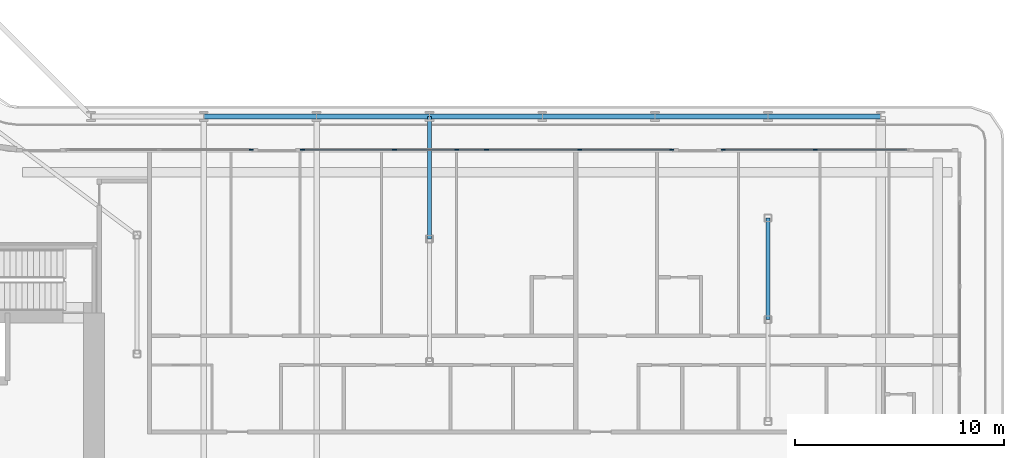
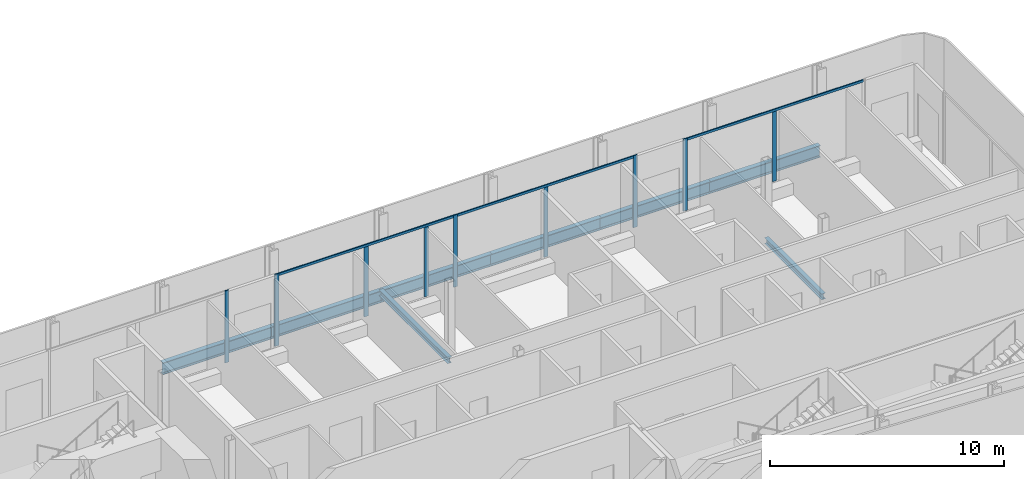
# One storey, part 6 of 27: 12 members, 8 beams, 4 elements without a shape of their own.
"""IFC4 building model written with IfcOpenShell, lengths in metres."""

from ifc_helpers import new_model, si_unit, direction, frame, origin, origin_2d, place, context, subcontext, project, spatial, rectangle, i_section, extrude, material, layer, layer_set, material_profile, profile_set, type_object, element, aggregate, save


model = new_model("IFC4")

# Units and contexts
model_context = context("Model", 3, precision=1e-05, world=origin(), true_north=direction((0.0, 1.0)))
body_context = subcontext(model_context, "Body", "Model", "MODEL_VIEW")
ifc_project = project(units=[si_unit("LENGTHUNIT", "METRE"), si_unit("AREAUNIT", "SQUARE_METRE"), si_unit("VOLUMEUNIT", "CUBIC_METRE"), si_unit("PLANEANGLEUNIT", "RADIAN"), si_unit("MASSUNIT", "GRAM", prefix="KILO")], contexts=[model_context])

# Site, building, storey
site_placement = place(None, origin())
site = spatial("IfcSite", under=ifc_project, at=site_placement, CompositionType="ELEMENT")
building_placement = place(site_placement, origin())
building = spatial("IfcBuilding", under=site, at=building_placement, Name="Kheshtan School and Residences Tower", CompositionType="ELEMENT")
storey_placement = place(building_placement, frame((0.0, 0.0, 46.10009765625)))
storey = spatial("IfcBuildingStorey", under=building, at=storey_placement, Name="L10", CompositionType="ELEMENT", Elevation=46.10009765625)

# Beams
ifc_material_1 = material(Name="Steel ASTM A992 Grade 50", Category="steel")
ifc_material_profile_1 = material_profile(ifc_material_1, i_section(OverallWidth=0.202880859375, OverallDepth=0.302978515625, WebThickness=0.007568359375, FlangeThickness=0.01318359375, FilletRadius=0.009033203125, at=origin_2d()), Name="W310x60")
ifc_profile_set_1 = profile_set([ifc_material_profile_1], Name="Steel ASTM A992 Grade 50")
beam_type_1 = type_object("IfcBeamType", Name="Beam FB1 W310x60 ASTM A992 Grade 50", PredefinedType="BEAM", material=ifc_profile_set_1)
beam_1_placement = place(storey_placement, frame((69.199951171875, 45.60009765625, -0.301513671875), z_axis=(0.0, -1.0, 0.0), x_axis=(1.0, 0.0, 0.0)))
element("IfcBeam", 1, at=beam_1_placement, inside=storey, type_object=beam_type_1, Name="Floor beam C064", PredefinedType="BEAM", context=body_context, shape_type="SweptSolid", body=[
    extrude(i_section(OverallWidth=0.202880859375, OverallDepth=0.302978515625, WebThickness=0.007568359375, FlangeThickness=0.01318359375, FilletRadius=0.009033203125, at=origin_2d()), origin(), (0.0, 0.0, 1.0), 5.8681640625),
])
beam_2_placement = place(storey_placement, frame((85.39990234375, 40.735107421875, -0.301513671875), z_axis=(0.0, -1.0, 0.0), x_axis=(1.0, 0.0, 0.0)))
element("IfcBeam", 2, at=beam_2_placement, inside=storey, type_object=beam_type_1, Name="Floor beam IC", PredefinedType="BEAM", context=body_context, shape_type="SweptSolid", body=[
    extrude(i_section(OverallWidth=0.202880859375, OverallDepth=0.302978515625, WebThickness=0.007568359375, FlangeThickness=0.01318359375, FilletRadius=0.009033203125, at=origin_2d()), origin(), (0.0, 0.0, 1.0), 4.864990234375),
])
ifc_material_profile_2 = material_profile(ifc_material_1, i_section(OverallWidth=0.22998046875, OverallDepth=0.616943359375, WebThickness=0.01318359375, FlangeThickness=0.022216796875, FilletRadius=0.0185546875, at=origin_2d()), Name="W610x140")
ifc_profile_set_2 = profile_set([ifc_material_profile_2], Name="Steel ASTM A992 Grade 50")
beam_type_2 = type_object("IfcBeamType", Name="Beam SP1 W610x140 ASTM A992 Grade 50", PredefinedType="BEAM", material=ifc_profile_set_2)
beam_3_placement = place(storey_placement, frame((58.39990234375, 45.60009765625, -0.45849609375), z_axis=(1.0, 0.0, 0.0), x_axis=(0.0, 1.0, 0.0)))
element("IfcBeam", 3, at=beam_3_placement, inside=storey, type_object=beam_type_2, Name="Spandrel beam C062-C063", PredefinedType="BEAM", context=body_context, shape_type="SweptSolid", body=[
    extrude(i_section(OverallWidth=0.22998046875, OverallDepth=0.616943359375, WebThickness=0.01318359375, FlangeThickness=0.022216796875, FilletRadius=0.0185546875, at=origin_2d()), origin(), (0.0, 0.0, 1.0), 5.400146484375),
])
beam_4_placement = place(storey_placement, frame((63.800048828125, 45.60009765625, -0.45849609375), z_axis=(1.0, 0.0, 0.0), x_axis=(0.0, 1.0, 0.0)))
element("IfcBeam", 4, at=beam_4_placement, inside=storey, type_object=beam_type_2, Name="Spandrel beam C063-C064", PredefinedType="BEAM", context=body_context, shape_type="SweptSolid", body=[
    extrude(i_section(OverallWidth=0.22998046875, OverallDepth=0.616943359375, WebThickness=0.01318359375, FlangeThickness=0.022216796875, FilletRadius=0.0185546875, at=origin_2d()), origin(), (0.0, 0.0, 1.0), 5.39990234375),
])
beam_5_placement = place(storey_placement, frame((69.199951171875, 45.60009765625, -0.45849609375), z_axis=(1.0, 0.0, 0.0), x_axis=(0.0, 1.0, 0.0)))
element("IfcBeam", 5, at=beam_5_placement, inside=storey, type_object=beam_type_2, Name="Spandrel beam C064-C065", PredefinedType="BEAM", context=body_context, shape_type="SweptSolid", body=[
    extrude(i_section(OverallWidth=0.22998046875, OverallDepth=0.616943359375, WebThickness=0.01318359375, FlangeThickness=0.022216796875, FilletRadius=0.0185546875, at=origin_2d()), origin(), (0.0, 0.0, 1.0), 5.400146484375),
])
for number, where, z_axis, x_axis, name in (
    (6, (74.60009765625, 45.60009765625, -0.45849609375), (1.0, 0.0, 0.0), (0.0, 1.0, 0.0), "Spandrel beam C065-C066"),
    (7, (80.0, 45.60009765625, -0.45849609375), (1.0, 0.0, 0.0), (0.0, 1.0, 0.0), "Spandrel beam C066-C067"),
):
    element("IfcBeam", number, at=place(storey_placement, frame(where, z_axis=z_axis, x_axis=x_axis)), inside=storey, type_object=beam_type_2, Name=name, PredefinedType="BEAM", context=body_context, shape_type="SweptSolid", body=[
        extrude(i_section(OverallWidth=0.22998046875, OverallDepth=0.616943359375, WebThickness=0.01318359375, FlangeThickness=0.022216796875, FilletRadius=0.0185546875, at=origin_2d()), origin(), (0.0, 0.0, 1.0), 5.39990234375),
    ])
beam_6_placement = place(storey_placement, frame((85.39990234375, 45.60009765625, -0.45849609375), z_axis=(1.0, 0.0, 0.0), x_axis=(0.0, 1.0, 0.0)))
element("IfcBeam", 8, at=beam_6_placement, inside=storey, type_object=beam_type_2, Name="Spandrel beam C067-C068", PredefinedType="BEAM", context=body_context, shape_type="SweptSolid", body=[
    extrude(i_section(OverallWidth=0.22998046875, OverallDepth=0.616943359375, WebThickness=0.01318359375, FlangeThickness=0.022216796875, FilletRadius=0.0185546875, at=origin_2d()), origin(), (0.0, 0.0, 1.0), 5.400146484375),
])

# Curtain wall, member
ifc_material_2 = material(Name="Clear low-e glass in thermally broken aluminium frame", Category="aluminium")
ifc_layer = layer(ifc_material_2, 0.199951171875)
ifc_layer_set = layer_set([ifc_layer], Name="Curtain wall CW-L")
curtain_wall_type = type_object("IfcCurtainWallType", Name="Curtain wall CW-L", PredefinedType="NOTDEFINED", material=ifc_layer_set)
curtain_wall_1_placement = place(storey_placement, origin())
curtain_wall_1 = element("IfcCurtainWall", 9, at=curtain_wall_1_placement, inside=storey, type_object=curtain_wall_type, Name="Curtain wall CWL12f", PredefinedType="NOTDEFINED")
ifc_material_3 = material(Name="Thermally broken aluminium, dark bronze anodised", Category="aluminium")
ifc_material_profile_3 = material_profile(ifc_material_3, rectangle(XDim=0.06005859375, YDim=0.199951171875, at=origin_2d()), Name="CW-L mullion 60x200")
ifc_profile_set_3 = profile_set([ifc_material_profile_3], Name="Thermally broken aluminium, dark bronze anodised")
member_type_1 = type_object("IfcMemberType", Name="CW-L mullion 60x200", PredefinedType="MULLION", material=ifc_profile_set_3)
member_1_placement = place(storey_placement, frame((60.66748046875, 44.0, 0.0), z_axis=(0.0, 0.0, 1.0), x_axis=(0.0, 1.0, 0.0)))
member_1 = element("IfcMember", 10, at=member_1_placement, type_object=member_type_1, Name="CWL12f mullion 3", PredefinedType="MULLION", context=body_context, shape_type="SweptSolid", body=[
    extrude(rectangle(XDim=0.06005859375, YDim=0.199951171875, at=origin_2d()), origin(), (0.0, 0.0, 1.0), 3.75),
])
aggregate(curtain_wall_1, [member_1])

# Curtain wall, members
curtain_wall_2_placement = place(storey_placement, origin())
curtain_wall_2 = element("IfcCurtainWall", 11, at=curtain_wall_2_placement, inside=storey, type_object=curtain_wall_type, Name="Curtain wall CWL12g", PredefinedType="NOTDEFINED")
member_2_placement = place(storey_placement, frame((63.12744140625, 44.0, 0.0), z_axis=(0.0, 0.0, 1.0), x_axis=(0.0, 1.0, 0.0)))
member_2 = element("IfcMember", 12, at=member_2_placement, type_object=member_type_1, Name="CWL12g mullion 1", PredefinedType="MULLION", context=body_context, shape_type="SweptSolid", body=[
    extrude(rectangle(XDim=0.06005859375, YDim=0.199951171875, at=origin_2d()), origin(), (0.0, 0.0, 1.0), 3.75),
])
member_3_placement = place(storey_placement, frame((67.53125, 44.0, 0.0), z_axis=(0.0, 0.0, 1.0), x_axis=(0.0, 1.0, 0.0)))
member_3 = element("IfcMember", 13, at=member_3_placement, type_object=member_type_1, Name="CWL12g mullion 2", PredefinedType="MULLION", context=body_context, shape_type="SweptSolid", body=[
    extrude(rectangle(XDim=0.06005859375, YDim=0.199951171875, at=origin_2d()), origin(), (0.0, 0.0, 1.0), 3.6298828125),
])
member_4_placement = place(storey_placement, frame((70.5, 44.0, 0.0), z_axis=(0.0, 0.0, 1.0), x_axis=(0.0, 1.0, 0.0)))
member_4 = element("IfcMember", 14, at=member_4_placement, type_object=member_type_1, Name="CWL12g mullion 3", PredefinedType="MULLION", context=body_context, shape_type="SweptSolid", body=[
    extrude(rectangle(XDim=0.06005859375, YDim=0.199951171875, at=origin_2d()), origin(), (0.0, 0.0, 1.0), 3.6298828125),
])
member_5_placement = place(storey_placement, frame((71.93505859375, 44.0, 0.0), z_axis=(0.0, 0.0, 1.0), x_axis=(0.0, 1.0, 0.0)))
member_5 = element("IfcMember", 15, at=member_5_placement, type_object=member_type_1, Name="CWL12g mullion 4", PredefinedType="MULLION", context=body_context, shape_type="SweptSolid", body=[
    extrude(rectangle(XDim=0.06005859375, YDim=0.199951171875, at=origin_2d()), origin(), (0.0, 0.0, 1.0), 3.75),
])

curtain_wall_3_placement = place(storey_placement, origin())
curtain_wall_3 = element("IfcCurtainWall", 16, at=curtain_wall_3_placement, inside=storey, type_object=curtain_wall_type, Name="Curtain wall CWL12i", PredefinedType="NOTDEFINED")
member_6_placement = place(storey_placement, frame((76.398681640625, 44.0, 0.0), z_axis=(0.0, 0.0, 1.0), x_axis=(0.0, 1.0, 0.0)))
member_6 = element("IfcMember", 17, at=member_6_placement, type_object=member_type_1, Name="CWL12i mullion 2", PredefinedType="MULLION", context=body_context, shape_type="SweptSolid", body=[
    extrude(rectangle(XDim=0.06005859375, YDim=0.199951171875, at=origin_2d()), origin(), (0.0, 0.0, 1.0), 3.6298828125),
])
member_7_placement = place(storey_placement, frame((80.802490234375, 44.0, 0.0), z_axis=(0.0, 0.0, 1.0), x_axis=(0.0, 1.0, 0.0)))
member_7 = element("IfcMember", 18, at=member_7_placement, type_object=member_type_1, Name="CWL12i mullion 3", PredefinedType="MULLION", context=body_context, shape_type="SweptSolid", body=[
    extrude(rectangle(XDim=0.06005859375, YDim=0.199951171875, at=origin_2d()), origin(), (0.0, 0.0, 1.0), 3.75),
])

curtain_wall_4_placement = place(storey_placement, origin())
curtain_wall_4 = element("IfcCurtainWall", 19, at=curtain_wall_4_placement, inside=storey, type_object=curtain_wall_type, Name="Curtain wall CWL12i", PredefinedType="NOTDEFINED")
member_8_placement = place(storey_placement, frame((83.262451171875, 44.0, 0.0), z_axis=(0.0, 0.0, 1.0), x_axis=(0.0, 1.0, 0.0)))
member_8 = element("IfcMember", 20, at=member_8_placement, type_object=member_type_1, Name="CWL12i mullion 1", PredefinedType="MULLION", context=body_context, shape_type="SweptSolid", body=[
    extrude(rectangle(XDim=0.06005859375, YDim=0.199951171875, at=origin_2d()), origin(), (0.0, 0.0, 1.0), 3.75),
])
member_9_placement = place(storey_placement, frame((87.666259765625, 44.0, 0.0), z_axis=(0.0, 0.0, 1.0), x_axis=(0.0, 1.0, 0.0)))
member_9 = element("IfcMember", 21, at=member_9_placement, type_object=member_type_1, Name="CWL12i mullion 2", PredefinedType="MULLION", context=body_context, shape_type="SweptSolid", body=[
    extrude(rectangle(XDim=0.06005859375, YDim=0.199951171875, at=origin_2d()), origin(), (0.0, 0.0, 1.0), 3.6298828125),
])

# Member
ifc_material_profile_4 = material_profile(ifc_material_3, rectangle(XDim=0.06005859375, YDim=0.1201171875, at=origin_2d()), Name="CW-L transom 60x120")
ifc_profile_set_4 = profile_set([ifc_material_profile_4], Name="Thermally broken aluminium, dark bronze anodised")
member_type_2 = type_object("IfcMemberType", Name="CW-L transom 60x120", PredefinedType="USERDEFINED", material=ifc_profile_set_4)
member_10_placement = place(storey_placement, frame((63.157470703125, 44.0, 3.68994140625), z_axis=(1.0, 0.0, 0.0), x_axis=(0.0, 1.0, 0.0)))
member_10 = element("IfcMember", 22, at=member_10_placement, type_object=member_type_2, Name="CWL12g transom 1", ObjectType="TRANSOM", PredefinedType="USERDEFINED", context=body_context, shape_type="SweptSolid", body=[
    extrude(rectangle(XDim=0.06005859375, YDim=0.1201171875, at=origin_2d()), origin(), (0.0, 0.0, 1.0), 8.74755859375),
])

aggregate(curtain_wall_2, [member_2, member_3, member_4, member_5, member_10])

member_11_placement = place(storey_placement, frame((71.965087890625, 44.0, 3.68994140625), z_axis=(1.0, 0.0, 0.0), x_axis=(0.0, 1.0, 0.0)))
member_11 = element("IfcMember", 23, at=member_11_placement, type_object=member_type_2, Name="CWL12i transom 1", ObjectType="TRANSOM", PredefinedType="USERDEFINED", context=body_context, shape_type="SweptSolid", body=[
    extrude(rectangle(XDim=0.06005859375, YDim=0.1201171875, at=origin_2d()), origin(), (0.0, 0.0, 1.0), 8.807373046875),
])

aggregate(curtain_wall_3, [member_6, member_7, member_11])

member_12_placement = place(storey_placement, frame((83.29248046875, 44.0, 3.68994140625), z_axis=(1.0, 0.0, 0.0), x_axis=(0.0, 1.0, 0.0)))
member_12 = element("IfcMember", 24, at=member_12_placement, type_object=member_type_2, Name="CWL12i transom 1", ObjectType="TRANSOM", PredefinedType="USERDEFINED", context=body_context, shape_type="SweptSolid", body=[
    extrude(rectangle(XDim=0.06005859375, YDim=0.1201171875, at=origin_2d()), origin(), (0.0, 0.0, 1.0), 8.74755859375),
])

aggregate(curtain_wall_4, [member_8, member_9, member_12])

save(model, "model.ifc")
